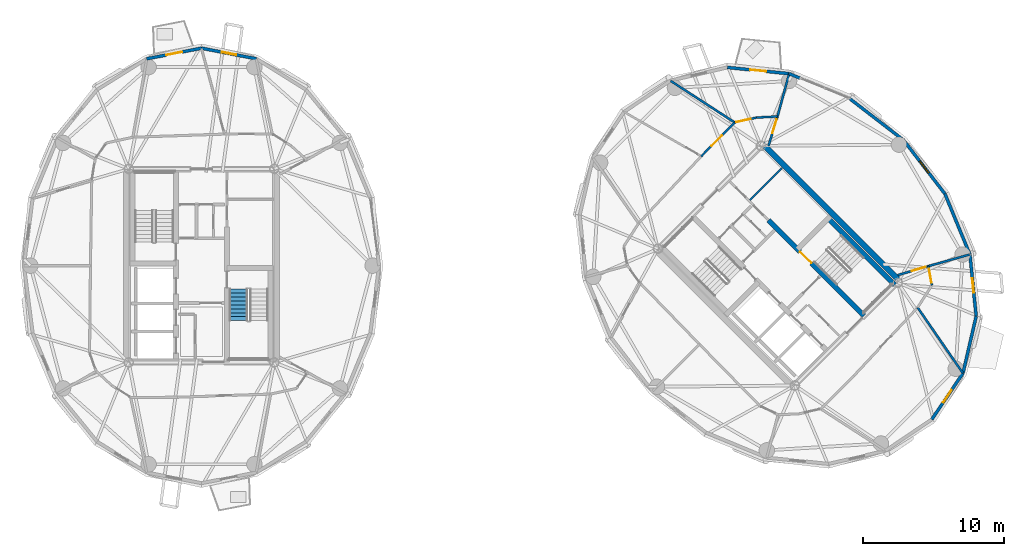
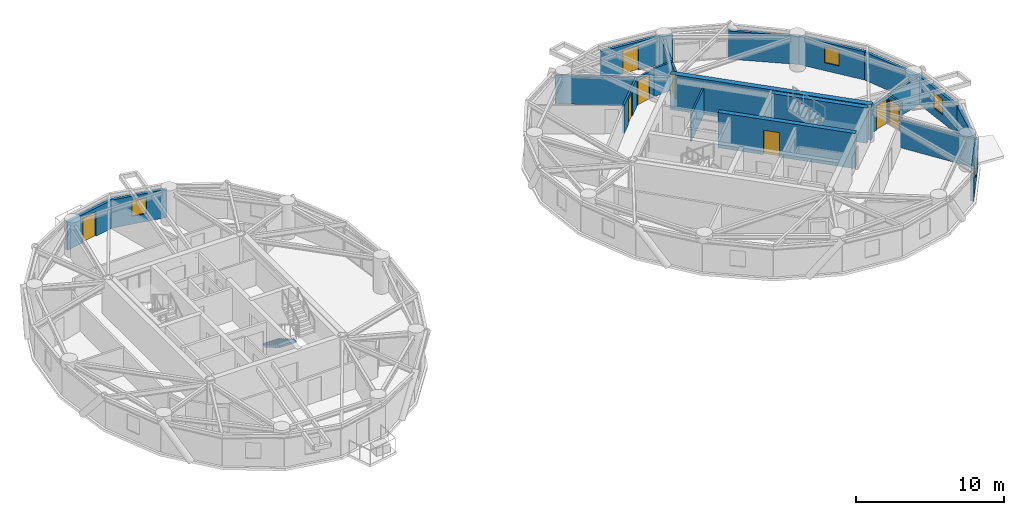
# One storey, part 13 of 17: 24 walls, 8 doors, 4 windows, 1 stair flight, 12 openings, 1 element without a shape of its own.
"""IFC4 building model written with IfcOpenShell, lengths in metres."""

from ifc_helpers import new_model, si_unit, direction, frame, frame_2d, origin, place, context, subcontext, project, spatial, polyline, rectangle, outline, extrude, source, transform, mapped, material, layer, layer_set, type_object, element, fill, aggregate, save


model = new_model("IFC4")

# Units and contexts
model_context = context("Model", 3, precision=1e-05, world=origin(), true_north=direction((0.0, 1.0)))
body_context = subcontext(model_context, "Body", "Model", "MODEL_VIEW")
ifc_project = project(units=[si_unit("LENGTHUNIT", "METRE"), si_unit("AREAUNIT", "SQUARE_METRE"), si_unit("VOLUMEUNIT", "CUBIC_METRE"), si_unit("PLANEANGLEUNIT", "RADIAN"), si_unit("MASSUNIT", "GRAM", prefix="KILO")], contexts=[model_context])

# Site, building, storey
site_placement = place(None, origin())
site = spatial("IfcSite", under=ifc_project, at=site_placement, CompositionType="ELEMENT")
building_placement = place(site_placement, origin())
building = spatial("IfcBuilding", under=site, at=building_placement, Name="Cununo Teusaquillo Station Towers", CompositionType="ELEMENT")
storey_placement = place(building_placement, frame((0.0, 0.0, 205.389892578125)))
storey = spatial("IfcBuildingStorey", under=building, at=storey_placement, Name="L65", CompositionType="ELEMENT", Elevation=205.389892578125)

# Wall, opening, door
ifc_material_1 = material(Name="Concrete C50/60", Category="concrete")
ifc_layer_1 = layer(ifc_material_1, 0.35009765625)
ifc_layer_set_1 = layer_set([ifc_layer_1], Name="Concrete C50/60")
wall_type_1 = type_object("IfcWallType", Name="WL-CORE-350", PredefinedType="SHEAR", material=ifc_layer_set_1)
wall_1_placement = place(storey_placement, frame((63.627197265625, 20.939697265625, 0.0), z_axis=(0.0, 0.0, 1.0), x_axis=(-0.707119496762, 0.707094065383, 0.0)))
wall_1 = element("IfcWall", 1, at=wall_1_placement, inside=storey, type_object=wall_type_1, Name="L65 Tower B Core Shear Wall IE", PredefinedType="SHEAR", context=body_context, shape_type="SweptSolid", body=[
    extrude(rectangle(XDim=9.60009765625, YDim=0.35009765625, at=frame_2d((4.800048828125, 0.0))), origin(), (0.0, 0.0, 1.0), 2.91015625),
])
shared_shape_1 = source(origin(), body_context, "Body", "SweptSolid", [
    extrude(rectangle(XDim=1.14990234375, YDim=2.02001953125, at=frame_2d((0.574951171875, 1.010009765625))), frame((0.0, 0.18505859375, 0.0), z_axis=(0.0, -1.0, 0.0), x_axis=(1.0, 0.0, 0.0)), (0.0, 0.0, 1.0), 0.3701171875),
])
opening_1_placement = place(wall_1_placement, frame((5.280029296875, 0.0, 0.0)))
opening_1 = element("IfcOpeningElement", 2, at=opening_1_placement, cuts=wall_1, Name="Opening D-ST1", PredefinedType="OPENING", context=body_context, shape_type="MappedRepresentation", body=[
    mapped(shared_shape_1, transform((0.0, 0.0, 0.0), x_axis=(1.0, 0.0, 0.0), y_axis=(0.0, 1.0, 0.0), z_axis=(0.0, 0.0, 1.0), scale=1.0)),
])
ifc_material_2 = material(Name="Galvanised fire-rated hollow steel door assembly", Category="steel")
door_type_1 = type_object("IfcDoorType", Name="DR-STAIR-1150", OperationType="NOTDEFINED", PredefinedType="DOOR", material=ifc_material_2)
shared_shape_2 = source(origin(), body_context, "Body", "SweptSolid", [
    extrude(rectangle(XDim=1.14990234375, YDim=2.02001953125, at=frame_2d((0.574951171875, 1.010009765625))), frame((0.0, 0.02490234375, 0.0), z_axis=(0.0, -1.0, 0.0), x_axis=(1.0, 0.0, 0.0)), (0.0, 0.0, 1.0), 0.050048828125),
])
door_1_placement = place(opening_1_placement, origin())
door_1 = element("IfcDoor", 3, at=door_1_placement, inside=storey, type_object=door_type_1, Name="L65 Tower B Exit Stair 2 Fire Door", OperationType="SINGLE_SWING_RIGHT", OverallHeight=2.02001953125, OverallWidth=1.14990234375, PredefinedType="DOOR", context=body_context, shape_type="MappedRepresentation", body=[
    mapped(shared_shape_2, transform((0.0, 0.0, 0.0), x_axis=(1.0, 0.0, 0.0), y_axis=(0.0, 1.0, 0.0), z_axis=(0.0, 0.0, 1.0), scale=1.0)),
])
fill(opening_1, door_1)

# Walls
wall_2_placement = place(storey_placement, frame((65.81201171875, 23.124755859375, 0.0), z_axis=(0.0, 0.0, 1.0), x_axis=(-0.707106781187, 0.707106781187, 0.0)))
element("IfcWall", 4, at=wall_2_placement, inside=storey, type_object=wall_type_1, Name="L65 Tower B Core Shear Wall ST2E", PredefinedType="SHEAR", context=body_context, shape_type="SweptSolid", body=[
    extrude(rectangle(XDim=6.695068359375, YDim=0.35009765625, at=frame_2d((3.34765625, 0.0))), origin(), (0.0, 0.0, 1.0), 2.91015625),
])
ifc_material_3 = material(Name="Concrete C50/60", Category="concrete")
ifc_layer_2 = layer(ifc_material_3, 0.39990234375)
ifc_layer_set_2 = layer_set([ifc_layer_2], Name="Concrete C50/60")
wall_type_2 = type_object("IfcWallType", Name="WL-CORE-400", PredefinedType="SHEAR", material=ifc_layer_set_2)
wall_3_placement = place(storey_placement, frame((66.26806640625, 23.2978515625, 0.0), z_axis=(0.0, 0.0, 1.0), x_axis=(-0.707106781187, 0.707106781187, 0.0)))
element("IfcWall", 5, at=wall_3_placement, inside=storey, type_object=wall_type_2, Name="L65 Tower B Core Shear Wall E", PredefinedType="SHEAR", context=body_context, shape_type="SweptSolid", body=[
    extrude(rectangle(XDim=14.10009765625, YDim=0.39990234375, at=frame_2d((7.050048828125, 0.0))), origin(), (0.0, 0.0, 1.0), 2.91015625),
])

# Wall, opening, window
ifc_material_4 = material(Name="Precast concrete C40/50", Category="concrete")
ifc_layer_3 = layer(ifc_material_4, 0.219970703125)
ifc_layer_set_3 = layer_set([ifc_layer_3], Name="Precast concrete C40/50")
wall_type_3 = type_object("IfcWallType", Name="WL-EXT-220", PredefinedType="SOLIDWALL", material=ifc_layer_set_3)
wall_4_placement = place(storey_placement, frame((16.5, 39.969970703125, 0.0), z_axis=(0.0, 0.0, 1.0), x_axis=(0.981700307484, -0.190432419211, 0.0)))
wall_4 = element("IfcWall", 6, at=wall_4_placement, inside=storey, type_object=wall_type_3, Name="L65 Tower A Exterior Facade Wall C04", PredefinedType="SOLIDWALL", context=body_context, shape_type="SweptSolid", body=[
    extrude(rectangle(XDim=3.9755859375, YDim=0.219970703125, at=frame_2d((1.98779296875, 0.0))), origin(), (0.0, 0.0, 1.0), 2.322021484375),
])
shared_shape_3 = source(origin(), body_context, "Body", "SweptSolid", [
    extrude(rectangle(XDim=1.050048828125, YDim=1.300048828125, at=frame_2d((0.52490234375, 0.64990234375))), frame((0.0, 0.119873046875, 0.0), z_axis=(0.0, -1.0, 0.0), x_axis=(1.0, 0.0, 0.0)), (0.0, 0.0, 1.0), 0.239990234375),
])
opening_2_placement = place(wall_4_placement, frame((1.462890625, 0.0, 0.64990234375)))
opening_2 = element("IfcOpeningElement", 7, at=opening_2_placement, cuts=wall_4, Name="Opening WN-04", PredefinedType="OPENING", context=body_context, shape_type="MappedRepresentation", body=[
    mapped(shared_shape_3, transform((0.0, 0.0, 0.0), x_axis=(1.0, 0.0, 0.0), y_axis=(0.0, 1.0, 0.0), z_axis=(0.0, 0.0, 1.0), scale=1.0)),
])
ifc_material_5 = material(Name="Operable acoustic tinted low-E double glazing", Category="glass")
window_type = type_object("IfcWindowType", Name="WIN-BAL-1050", PartitioningType="SINGLE_PANEL", PredefinedType="WINDOW", material=ifc_material_5)
shared_shape_4 = source(origin(), body_context, "Body", "SweptSolid", [
    extrude(rectangle(XDim=1.050048828125, YDim=1.300048828125, at=frame_2d((0.52490234375, 0.64990234375))), frame((0.0, 0.030029296875, 0.0), z_axis=(0.0, -1.0, 0.0), x_axis=(1.0, 0.0, 0.0)), (0.0, 0.0, 1.0), 0.06005859375),
])
window_1_placement = place(opening_2_placement, origin())
window_1 = element("IfcWindow", 8, at=window_1_placement, inside=storey, type_object=window_type, Name="L65 Tower A Facade Window C04", OverallHeight=1.300048828125, OverallWidth=1.050048828125, PartitioningType="SINGLE_PANEL", PredefinedType="WINDOW", context=body_context, shape_type="MappedRepresentation", body=[
    mapped(shared_shape_4, transform((0.0, 0.0, 0.0), x_axis=(1.0, 0.0, 0.0), y_axis=(0.0, 1.0, 0.0), z_axis=(0.0, 0.0, 1.0), scale=1.0)),
])
fill(opening_2, window_1)

# Wall, opening, door
wall_5_placement = place(storey_placement, frame((12.59716796875, 39.212890625, 0.0), z_axis=(0.0, 0.0, 1.0), x_axis=(0.981700307484, 0.190432419211, 0.0)))
wall_5 = element("IfcWall", 9, at=wall_5_placement, inside=storey, type_object=wall_type_3, Name="L65 Tower A Exterior Facade Wall C05", PredefinedType="SOLIDWALL", context=body_context, shape_type="SweptSolid", body=[
    extrude(rectangle(XDim=3.9755859375, YDim=0.219970703125, at=frame_2d((1.98779296875, 0.0))), origin(), (0.0, 0.0, 1.0), 2.322021484375),
])
shared_shape_5 = source(origin(), body_context, "Body", "SweptSolid", [
    extrude(rectangle(XDim=1.14990234375, YDim=2.0048828125, at=frame_2d((0.574951171875, 1.00244140625))), frame((0.0, 0.119873046875, 0.0), z_axis=(0.0, -1.0, 0.0), x_axis=(1.0, 0.0, 0.0)), (0.0, 0.0, 1.0), 0.239990234375),
])
opening_3_placement = place(wall_5_placement, frame((1.4130859375, 0.0, 0.0)))
opening_3 = element("IfcOpeningElement", 10, at=opening_3_placement, cuts=wall_5, Name="Opening ED-03", PredefinedType="OPENING", context=body_context, shape_type="MappedRepresentation", body=[
    mapped(shared_shape_5, transform((0.0, 0.0, 0.0), x_axis=(1.0, 0.0, 0.0), y_axis=(0.0, 1.0, 0.0), z_axis=(0.0, 0.0, 1.0), scale=1.0)),
])
ifc_material_6 = material(Name="Anodised dark bronze aluminium EN AW-6063-T6", Category="aluminium")
door_type_2 = type_object("IfcDoorType", Name="DR-EXT-BAL", OperationType="NOTDEFINED", PredefinedType="DOOR", material=ifc_material_6)
shared_shape_6 = source(origin(), body_context, "Body", "SweptSolid", [
    extrude(rectangle(XDim=1.14990234375, YDim=2.0048828125, at=frame_2d((0.574951171875, 1.00244140625))), frame((0.0, 0.02490234375, 0.0), z_axis=(0.0, -1.0, 0.0), x_axis=(1.0, 0.0, 0.0)), (0.0, 0.0, 1.0), 0.050048828125),
])
door_2_placement = place(opening_3_placement, origin())
door_2 = element("IfcDoor", 11, at=door_2_placement, inside=storey, type_object=door_type_2, Name="L65 Tower A Tree Balcony Door C05", OperationType="SINGLE_SWING_LEFT", OverallHeight=2.0048828125, OverallWidth=1.14990234375, PredefinedType="DOOR", context=body_context, shape_type="MappedRepresentation", body=[
    mapped(shared_shape_6, transform((0.0, 0.0, 0.0), x_axis=(1.0, 0.0, 0.0), y_axis=(0.0, 1.0, 0.0), z_axis=(0.0, 0.0, 1.0), scale=1.0)),
])
fill(opening_3, door_2)

# Walls
wall_6_placement = place(storey_placement, frame((62.61328125, 36.373779296875, 0.0), z_axis=(0.0, 0.0, 1.0), x_axis=(0.791998462147, -0.610523083886, 0.0)))
element("IfcWall", 12, at=wall_6_placement, inside=storey, type_object=wall_type_3, Name="L65 Tower B Exterior Facade Wall C00", PredefinedType="SOLIDWALL", context=body_context, shape_type="SweptSolid", body=[
    extrude(rectangle(XDim=4.8203125, YDim=0.219970703125, at=frame_2d((2.41015625, 0.0))), origin(), (0.0, 0.0, 1.0), 2.322021484375),
])
wall_7_placement = place(storey_placement, frame((58.29541015625, 38.15478515625, 0.0), z_axis=(0.0, 0.0, 1.0), x_axis=(0.924515260676, -0.381145028536, 0.0)))
element("IfcWall", 13, at=wall_7_placement, inside=storey, type_object=wall_type_3, Name="L65 Tower B Column Pier Cladding Wall C01-PA", PredefinedType="SOLIDWALL", context=body_context, shape_type="SweptSolid", body=[
    extrude(rectangle(XDim=0.869873046875, YDim=0.219970703125, at=frame_2d((0.43505859375, 0.0))), origin(), (0.0, 0.0, 1.0), 2.322021484375),
])

# Wall, opening, door
wall_8_placement = place(storey_placement, frame((53.899658203125, 38.59912109375, 0.0), z_axis=(0.0, 0.0, 1.0), x_axis=(0.994929930991, -0.100570534541, 0.0)))
wall_8 = element("IfcWall", 14, at=wall_8_placement, inside=storey, type_object=wall_type_3, Name="L65 Tower B Exterior Facade Wall C02", PredefinedType="SOLIDWALL", context=body_context, shape_type="SweptSolid", body=[
    extrude(rectangle(XDim=4.418212890625, YDim=0.219970703125, at=frame_2d((2.208984375, 0.0))), origin(), (0.0, 0.0, 1.0), 2.322021484375),
])
opening_4_placement = place(wall_8_placement, frame((1.634033203125, 0.0, 0.0)))
opening_4 = element("IfcOpeningElement", 15, at=opening_4_placement, cuts=wall_8, Name="Opening ED-03", PredefinedType="OPENING", context=body_context, shape_type="MappedRepresentation", body=[
    mapped(shared_shape_5, transform((0.0, 0.0, 0.0), x_axis=(1.0, 0.0, 0.0), y_axis=(0.0, 1.0, 0.0), z_axis=(0.0, 0.0, 1.0), scale=1.0)),
])
door_3_placement = place(opening_4_placement, origin())
door_3 = element("IfcDoor", 16, at=door_3_placement, inside=storey, type_object=door_type_2, Name="L65 Tower B Tree Balcony Door C02", OperationType="SINGLE_SWING_LEFT", OverallHeight=2.0048828125, OverallWidth=1.14990234375, PredefinedType="DOOR", context=body_context, shape_type="MappedRepresentation", body=[
    mapped(shared_shape_6, transform((0.0, 0.0, 0.0), x_axis=(1.0, 0.0, 0.0), y_axis=(0.0, 1.0, 0.0), z_axis=(0.0, 0.0, 1.0), scale=1.0)),
])
fill(opening_4, door_3)

# Wall, opening, window
wall_9_placement = place(storey_placement, frame((70.663330078125, 16.856201171875, 0.0), z_axis=(0.0, 0.0, 1.0), x_axis=(-0.559495003079, -0.828833723692, 0.0)))
wall_9 = element("IfcWall", 17, at=wall_9_placement, inside=storey, type_object=wall_type_3, Name="L65 Tower B Exterior Facade Wall C15", PredefinedType="SOLIDWALL", context=body_context, shape_type="SweptSolid", body=[
    extrude(rectangle(XDim=3.9755859375, YDim=0.219970703125, at=frame_2d((1.98779296875, 0.0))), origin(), (0.0, 0.0, 1.0), 2.322021484375),
])
opening_5_placement = place(wall_9_placement, frame((1.462890625, 0.0, 0.64990234375)))
opening_5 = element("IfcOpeningElement", 18, at=opening_5_placement, cuts=wall_9, Name="Opening WN-04", PredefinedType="OPENING", context=body_context, shape_type="MappedRepresentation", body=[
    mapped(shared_shape_3, transform((0.0, 0.0, 0.0), x_axis=(1.0, 0.0, 0.0), y_axis=(0.0, 1.0, 0.0), z_axis=(0.0, 0.0, 1.0), scale=1.0)),
])
window_2_placement = place(opening_5_placement, origin())
window_2 = element("IfcWindow", 19, at=window_2_placement, inside=storey, type_object=window_type, Name="L65 Tower B Facade Window C15", OverallHeight=1.300048828125, OverallWidth=1.050048828125, PartitioningType="SINGLE_PANEL", PredefinedType="WINDOW", context=body_context, shape_type="MappedRepresentation", body=[
    mapped(shared_shape_4, transform((0.0, 0.0, 0.0), x_axis=(1.0, 0.0, 0.0), y_axis=(0.0, 1.0, 0.0), z_axis=(0.0, 0.0, 1.0), scale=1.0)),
])
fill(opening_5, window_2)

# Wall
wall_10_placement = place(storey_placement, frame((71.59912109375, 20.899658203125, 0.0), z_axis=(0.0, 0.0, 1.0), x_axis=(-0.225473813158, -0.974249228678, 0.0)))
element("IfcWall", 20, at=wall_10_placement, inside=storey, type_object=wall_type_3, Name="L65 Tower B Exterior Facade Wall C16", PredefinedType="SOLIDWALL", context=body_context, shape_type="SweptSolid", body=[
    extrude(rectangle(XDim=4.150390625, YDim=0.219970703125, at=frame_2d((2.0751953125, 0.0))), origin(), (0.0, 0.0, 1.0), 2.322021484375),
])

# Wall, opening, window
wall_11_placement = place(storey_placement, frame((71.15478515625, 25.29541015625, 0.0), z_axis=(0.0, 0.0, 1.0), x_axis=(0.100570534541, -0.994929930991, 0.0)))
wall_11 = element("IfcWall", 21, at=wall_11_placement, inside=storey, type_object=wall_type_3, Name="L65 Tower B Exterior Facade Wall C17", PredefinedType="SOLIDWALL", context=body_context, shape_type="SweptSolid", body=[
    extrude(rectangle(XDim=4.418212890625, YDim=0.219970703125, at=frame_2d((2.208984375, 0.0))), origin(), (0.0, 0.0, 1.0), 2.322021484375),
])
opening_6_placement = place(wall_11_placement, frame((1.68408203125, 0.0, 0.64990234375)))
opening_6 = element("IfcOpeningElement", 22, at=opening_6_placement, cuts=wall_11, Name="Opening WN-04", PredefinedType="OPENING", context=body_context, shape_type="MappedRepresentation", body=[
    mapped(shared_shape_3, transform((0.0, 0.0, 0.0), x_axis=(1.0, 0.0, 0.0), y_axis=(0.0, 1.0, 0.0), z_axis=(0.0, 0.0, 1.0), scale=1.0)),
])
window_3_placement = place(opening_6_placement, origin())
window_3 = element("IfcWindow", 23, at=window_3_placement, inside=storey, type_object=window_type, Name="L65 Tower B Facade Window C17", OverallHeight=1.300048828125, OverallWidth=1.050048828125, PartitioningType="SINGLE_PANEL", PredefinedType="WINDOW", context=body_context, shape_type="MappedRepresentation", body=[
    mapped(shared_shape_4, transform((0.0, 0.0, 0.0), x_axis=(1.0, 0.0, 0.0), y_axis=(0.0, 1.0, 0.0), z_axis=(0.0, 0.0, 1.0), scale=1.0)),
])
fill(opening_6, window_3)

# Wall
wall_12_placement = place(storey_placement, frame((69.373779296875, 29.61328125, 0.0), z_axis=(0.0, 0.0, 1.0), x_axis=(0.381309704956, -0.924447353237, 0.0)))
element("IfcWall", 24, at=wall_12_placement, inside=storey, type_object=wall_type_3, Name="L65 Tower B Exterior Facade Wall C18", PredefinedType="SOLIDWALL", context=body_context, shape_type="SweptSolid", body=[
    extrude(rectangle(XDim=4.670654296875, YDim=0.219970703125, at=frame_2d((2.33544921875, 0.0))), origin(), (0.0, 0.0, 1.0), 2.322021484375),
])

# Wall, opening, window
wall_13_placement = place(storey_placement, frame((66.430908203125, 33.430908203125, 0.0), z_axis=(0.0, 0.0, 1.0), x_axis=(0.610523083886, -0.791998462147, 0.0)))
wall_13 = element("IfcWall", 25, at=wall_13_placement, inside=storey, type_object=wall_type_3, Name="L65 Tower B Exterior Facade Wall C19", PredefinedType="SOLIDWALL", context=body_context, shape_type="SweptSolid", body=[
    extrude(rectangle(XDim=4.8203125, YDim=0.219970703125, at=frame_2d((2.41015625, 0.0))), origin(), (0.0, 0.0, 1.0), 2.322021484375),
])
opening_7_placement = place(wall_13_placement, frame((1.885009765625, 0.0, 0.64990234375)))
opening_7 = element("IfcOpeningElement", 26, at=opening_7_placement, cuts=wall_13, Name="Opening WN-04", PredefinedType="OPENING", context=body_context, shape_type="MappedRepresentation", body=[
    mapped(shared_shape_3, transform((0.0, 0.0, 0.0), x_axis=(1.0, 0.0, 0.0), y_axis=(0.0, 1.0, 0.0), z_axis=(0.0, 0.0, 1.0), scale=1.0)),
])
window_4_placement = place(opening_7_placement, origin())
window_4 = element("IfcWindow", 27, at=window_4_placement, inside=storey, type_object=window_type, Name="L65 Tower B Facade Window C19", OverallHeight=1.300048828125, OverallWidth=1.050048828125, PartitioningType="SINGLE_PANEL", PredefinedType="WINDOW", context=body_context, shape_type="MappedRepresentation", body=[
    mapped(shared_shape_4, transform((0.0, 0.0, 0.0), x_axis=(1.0, 0.0, 0.0), y_axis=(0.0, 1.0, 0.0), z_axis=(0.0, 0.0, 1.0), scale=1.0)),
])
fill(opening_7, window_4)

# Walls
ifc_material_7 = material(Name="Fire-rated gypsum plasterboard partition assembly", Category="gypsum")
ifc_layer_4 = layer(ifc_material_7, 0.125)
ifc_layer_set_4 = layer_set([ifc_layer_4], Name="Fire-rated gypsum plasterboard partition assembly")
wall_type_4 = type_object("IfcWallType", Name="WL-PART-125", PredefinedType="PARTITIONING", material=ifc_layer_set_4)
wall_14_placement = place(storey_placement, frame((55.49169921875, 29.1669921875, 0.0), z_axis=(0.0, 0.0, 1.0), x_axis=(0.707144688645, 0.707068871696, 0.0)))
element("IfcWall", 28, at=wall_14_placement, inside=storey, type_object=wall_type_4, Name="L65 Tower B Reclaimed Bay Divider Wall", PredefinedType="PARTITIONING", context=body_context, shape_type="SweptSolid", body=[
    extrude(rectangle(XDim=3.22021484375, YDim=0.125, at=frame_2d((1.610107421875, 0.0))), origin(), (0.0, 0.0, 1.0), 2.22216796875),
])
ifc_material_8 = material(Name="Fire-rated gypsum plasterboard partition assembly", Category="gypsum")
ifc_layer_5 = layer(ifc_material_8, 0.14990234375)
ifc_layer_set_5 = layer_set([ifc_layer_5], Name="Fire-rated gypsum plasterboard partition assembly")
wall_type_5 = type_object("IfcWallType", Name="WL-PART-150", PredefinedType="PARTITIONING", material=ifc_layer_set_5)
wall_15_placement = place(storey_placement, frame((57.466796875, 35.111328125, 0.0), z_axis=(0.0, 0.0, 1.0), x_axis=(-0.998691757323, -0.051134859488, 0.0)))
element("IfcWall", 29, at=wall_15_placement, inside=storey, type_object=wall_type_5, Name="L65 Tower B Corridor Ring Wall C02", PredefinedType="PARTITIONING", context=body_context, shape_type="SweptSolid", body=[
    extrude(rectangle(XDim=1.48486328125, YDim=0.14990234375, at=frame_2d((0.742431640625, 0.0))), origin(), (0.0, 0.0, 1.0), 2.322021484375),
])

# Wall, opening, door
wall_16_placement = place(storey_placement, frame((55.98388671875, 35.035400390625, 0.0), z_axis=(0.0, 0.0, 1.0), x_axis=(-0.975290305708, -0.22092718165, 0.0)))
wall_16 = element("IfcWall", 30, at=wall_16_placement, inside=storey, type_object=wall_type_5, Name="L65 Tower B Corridor Ring Wall C03", PredefinedType="PARTITIONING", context=body_context, shape_type="SweptSolid", body=[
    extrude(rectangle(XDim=1.596923828125, YDim=0.14990234375, at=frame_2d((0.79833984375, 0.0))), origin(), (0.0, 0.0, 1.0), 2.255126953125),
])
shared_shape_7 = source(origin(), body_context, "Body", "SweptSolid", [
    extrude(rectangle(XDim=1.050048828125, YDim=2.014892578125, at=frame_2d((0.52490234375, 1.00732421875))), frame((0.0, 0.0849609375, 0.0), z_axis=(0.0, -1.0, 0.0), x_axis=(1.0, 0.0, 0.0)), (0.0, 0.0, 1.0), 0.169921875),
])
opening_8_placement = place(wall_16_placement, frame((0.4267578125, 0.0, 0.0)))
opening_8 = element("IfcOpeningElement", 31, at=opening_8_placement, cuts=wall_16, Name="Opening D-SU1", PredefinedType="OPENING", context=body_context, shape_type="MappedRepresentation", body=[
    mapped(shared_shape_7, transform((0.0, 0.0, 0.0), x_axis=(1.0, 0.0, 0.0), y_axis=(0.0, 1.0, 0.0), z_axis=(0.0, 0.0, 1.0), scale=1.0)),
])
ifc_material_9 = material(Name="Acoustic solid-core hardwood leaf assembly", Category="wood")
door_type_3 = type_object("IfcDoorType", Name="DR-SUITE-1050", OperationType="NOTDEFINED", PredefinedType="DOOR", material=ifc_material_9)
shared_shape_8 = source(origin(), body_context, "Body", "SweptSolid", [
    extrude(rectangle(XDim=1.050048828125, YDim=2.014892578125, at=frame_2d((0.52490234375, 1.00732421875))), frame((0.0, 0.02490234375, 0.0), z_axis=(0.0, -1.0, 0.0), x_axis=(1.0, 0.0, 0.0)), (0.0, 0.0, 1.0), 0.050048828125),
])
door_4_placement = place(opening_8_placement, origin())
door_4 = element("IfcDoor", 32, at=door_4_placement, inside=storey, type_object=door_type_3, Name="L65 Tower B Andean Climate Foundation HQ Entrance Door", OperationType="SINGLE_SWING_RIGHT", OverallHeight=2.014892578125, OverallWidth=1.050048828125, PredefinedType="DOOR", context=body_context, shape_type="MappedRepresentation", body=[
    mapped(shared_shape_8, transform((0.0, 0.0, 0.0), x_axis=(1.0, 0.0, 0.0), y_axis=(0.0, 1.0, 0.0), z_axis=(0.0, 0.0, 1.0), scale=1.0)),
])
fill(opening_8, door_4)

wall_17_placement = place(storey_placement, frame((54.426513671875, 34.6826171875, 0.0), z_axis=(0.0, 0.0, 1.0), x_axis=(-0.704178989986, -0.710022499687, 0.0)))
wall_17 = element("IfcWall", 33, at=wall_17_placement, inside=storey, type_object=wall_type_5, Name="L65 Tower B Corridor Ring Wall C04", PredefinedType="PARTITIONING", context=body_context, shape_type="SweptSolid", body=[
    extrude(rectangle(XDim=3.38427734375, YDim=0.14990234375, at=frame_2d((1.692138671875, 0.0))), origin(), (0.0, 0.0, 1.0), 2.322021484375),
])
opening_9_placement = place(wall_17_placement, frame((1.2978515625, 0.0, 0.0)))
opening_9 = element("IfcOpeningElement", 34, at=opening_9_placement, cuts=wall_17, Name="Opening D-SU1", PredefinedType="OPENING", context=body_context, shape_type="MappedRepresentation", body=[
    mapped(shared_shape_7, transform((0.0, 0.0, 0.0), x_axis=(1.0, 0.0, 0.0), y_axis=(0.0, 1.0, 0.0), z_axis=(0.0, 0.0, 1.0), scale=1.0)),
])
door_5_placement = place(opening_9_placement, origin())
door_5 = element("IfcDoor", 35, at=door_5_placement, inside=storey, type_object=door_type_3, Name="L65 Tower B International Arbitration Salon Entrance Door", OperationType="SINGLE_SWING_LEFT", OverallHeight=2.014892578125, OverallWidth=1.050048828125, PredefinedType="DOOR", context=body_context, shape_type="MappedRepresentation", body=[
    mapped(shared_shape_8, transform((0.0, 0.0, 0.0), x_axis=(1.0, 0.0, 0.0), y_axis=(0.0, 1.0, 0.0), z_axis=(0.0, 0.0, 1.0), scale=1.0)),
])
fill(opening_9, door_5)

wall_18_placement = place(storey_placement, frame((68.45556640625, 23.109619140625, 0.0), z_axis=(0.0, 0.0, 1.0), x_axis=(-0.1772522795, 0.984165448191, 0.0)))
wall_18 = element("IfcWall", 36, at=wall_18_placement, inside=storey, type_object=wall_type_5, Name="L65 Tower B Corridor Ring Wall C17", PredefinedType="PARTITIONING", context=body_context, shape_type="SweptSolid", body=[
    extrude(rectangle(XDim=1.381591796875, YDim=0.14990234375, at=frame_2d((0.69091796875, 0.0))), origin(), (0.0, 0.0, 1.0), 2.322021484375),
])
shared_shape_9 = source(origin(), body_context, "Body", "SweptSolid", [
    extrude(rectangle(XDim=1.0, YDim=2.014892578125, at=frame_2d((0.5, 1.00732421875))), frame((0.0, 0.0849609375, 0.0), z_axis=(0.0, -1.0, 0.0), x_axis=(1.0, 0.0, 0.0)), (0.0, 0.0, 1.0), 0.169921875),
])
opening_10_placement = place(wall_18_placement, frame((0.19091796875, 0.0, 0.0)))
opening_10 = element("IfcOpeningElement", 37, at=opening_10_placement, cuts=wall_18, Name="Opening D-AC1", PredefinedType="OPENING", context=body_context, shape_type="MappedRepresentation", body=[
    mapped(shared_shape_9, transform((0.0, 0.0, 0.0), x_axis=(1.0, 0.0, 0.0), y_axis=(0.0, 1.0, 0.0), z_axis=(0.0, 0.0, 1.0), scale=1.0)),
])
ifc_material_10 = material(Name="Acoustic solid-core hardwood leaf assembly", Category="wood")
door_type_4 = type_object("IfcDoorType", Name="DR-ACC-1000", OperationType="NOTDEFINED", PredefinedType="DOOR", material=ifc_material_10)
shared_shape_10 = source(origin(), body_context, "Body", "SweptSolid", [
    extrude(rectangle(XDim=1.0, YDim=2.014892578125, at=frame_2d((0.5, 1.00732421875))), frame((0.0, 0.02490234375, 0.0), z_axis=(0.0, -1.0, 0.0), x_axis=(1.0, 0.0, 0.0)), (0.0, 0.0, 1.0), 0.050048828125),
])
door_6_placement = place(opening_10_placement, origin())
door_6 = element("IfcDoor", 38, at=door_6_placement, inside=storey, type_object=door_type_4, Name="L65 Tower B Public Accessible Restroom WC Entrance Door", OperationType="SINGLE_SWING_LEFT", OverallHeight=2.014892578125, OverallWidth=1.0, PredefinedType="DOOR", context=body_context, shape_type="MappedRepresentation", body=[
    mapped(shared_shape_10, transform((0.0, 0.0, 0.0), x_axis=(1.0, 0.0, 0.0), y_axis=(0.0, 1.0, 0.0), z_axis=(0.0, 0.0, 1.0), scale=1.0)),
])
fill(opening_10, door_6)

# Walls
ifc_material_11 = material(Name="Fire-rated gypsum plasterboard partition assembly", Category="gypsum")
ifc_layer_6 = layer(ifc_material_11, 0.159912109375)
ifc_layer_set_6 = layer_set([ifc_layer_6], Name="Fire-rated gypsum plasterboard partition assembly")
wall_type_6 = type_object("IfcWallType", Name="WL-PART-160", PredefinedType="PARTITIONING", material=ifc_layer_set_6)
wall_19_placement = place(storey_placement, frame((57.466796875, 35.111328125, 0.0), z_axis=(0.0, 0.0, 1.0), x_axis=(0.263354670488, 0.964699081337, 0.0)))
element("IfcWall", 39, at=wall_19_placement, inside=storey, type_object=wall_type_6, Name="L65 Tower B Radial Suite Partition R01", PredefinedType="PARTITIONING", context=body_context, shape_type="SweptSolid", body=[
    extrude(rectangle(XDim=3.13427734375, YDim=0.159912109375, at=frame_2d((1.567138671875, 0.0))), origin(), (0.0, 0.0, 1.0), 2.322021484375),
])
wall_20_placement = place(storey_placement, frame((54.426513671875, 34.6826171875, 0.0), z_axis=(0.0, 0.0, 1.0), x_axis=(-0.83860663594, 0.544737469023, 0.0)))
element("IfcWall", 40, at=wall_20_placement, inside=storey, type_object=wall_type_6, Name="L65 Tower B Radial Suite Partition R02", PredefinedType="PARTITIONING", context=body_context, shape_type="SweptSolid", body=[
    extrude(rectangle(XDim=5.439208984375, YDim=0.159912109375, at=frame_2d((2.7197265625, 0.0))), origin(), (0.0, 0.0, 1.0), 2.322021484375),
])
wall_21_placement = place(storey_placement, frame((67.4345703125, 21.521484375, 0.0), z_axis=(0.0, 0.0, 1.0), x_axis=(0.567700677576, -0.823235045828, 0.0)))
element("IfcWall", 41, at=wall_21_placement, inside=storey, type_object=wall_type_6, Name="L65 Tower B Radial Suite Partition R08", PredefinedType="PARTITIONING", context=body_context, shape_type="SweptSolid", body=[
    extrude(rectangle(XDim=5.656005859375, YDim=0.159912109375, at=frame_2d((2.828125, 0.0))), origin(), (0.0, 0.0, 1.0), 2.322021484375),
])
wall_22_placement = place(storey_placement, frame((68.210693359375, 24.46923828125, 0.0), z_axis=(0.0, 0.0, 1.0), x_axis=(0.962605107736, 0.270908483735, 0.0)))
element("IfcWall", 42, at=wall_22_placement, inside=storey, type_object=wall_type_6, Name="L65 Tower B Radial Suite Partition R09", PredefinedType="PARTITIONING", context=body_context, shape_type="SweptSolid", body=[
    extrude(rectangle(XDim=3.037841796875, YDim=0.159912109375, at=frame_2d((1.51904296875, 0.0))), origin(), (0.0, 0.0, 1.0), 2.322021484375),
])

# Wall, opening, door
wall_23_placement = place(storey_placement, frame((56.828125, 33.0205078125, 0.0), z_axis=(0.0, 0.0, 1.0), x_axis=(0.292139093972, 0.956375841274, 0.0)))
wall_23 = element("IfcWall", 43, at=wall_23_placement, inside=storey, type_object=wall_type_6, Name="L65 Tower B East Salon Corridor Portal Wall NE", PredefinedType="PARTITIONING", context=body_context, shape_type="SweptSolid", body=[
    extrude(rectangle(XDim=2.186279296875, YDim=0.159912109375, at=frame_2d((1.09326171875, 0.0))), origin(), (0.0, 0.0, 1.0), 2.255126953125),
])
shared_shape_11 = source(origin(), body_context, "Body", "SweptSolid", [
    extrude(rectangle(XDim=1.050048828125, YDim=2.014892578125, at=frame_2d((0.52490234375, 1.00732421875))), frame((0.0, 0.08984375, 0.0), z_axis=(0.0, -1.0, 0.0), x_axis=(1.0, 0.0, 0.0)), (0.0, 0.0, 1.0), 0.179931640625),
])
opening_11_placement = place(wall_23_placement, frame((0.93603515625, 0.0, 0.0)))
opening_11 = element("IfcOpeningElement", 44, at=opening_11_placement, cuts=wall_23, Name="Opening D-SU1", PredefinedType="OPENING", context=body_context, shape_type="MappedRepresentation", body=[
    mapped(shared_shape_11, transform((0.0, 0.0, 0.0), x_axis=(1.0, 0.0, 0.0), y_axis=(0.0, 1.0, 0.0), z_axis=(0.0, 0.0, 1.0), scale=1.0)),
])
door_7_placement = place(opening_11_placement, origin())
door_7 = element("IfcDoor", 45, at=door_7_placement, inside=storey, type_object=door_type_3, Name="L65 Tower B East Panorama Sky Salon Door NE", OperationType="SINGLE_SWING_RIGHT", OverallHeight=2.014892578125, OverallWidth=1.050048828125, PredefinedType="DOOR", context=body_context, shape_type="MappedRepresentation", body=[
    mapped(shared_shape_8, transform((0.0, 0.0, 0.0), x_axis=(1.0, 0.0, 0.0), y_axis=(0.0, 1.0, 0.0), z_axis=(0.0, 0.0, 1.0), scale=1.0)),
])
fill(opening_11, door_7)

wall_24_placement = place(storey_placement, frame((66.0205078125, 23.828125, 0.0), z_axis=(0.0, 0.0, 1.0), x_axis=(0.959727558294, 0.280932400856, 0.0)))
wall_24 = element("IfcWall", 46, at=wall_24_placement, inside=storey, type_object=wall_type_6, Name="L65 Tower B East Salon Corridor Portal Wall SE", PredefinedType="PARTITIONING", context=body_context, shape_type="SweptSolid", body=[
    extrude(rectangle(XDim=2.281982421875, YDim=0.159912109375, at=frame_2d((1.14111328125, 0.0))), origin(), (0.0, 0.0, 1.0), 2.255126953125),
])
opening_12_placement = place(wall_24_placement, frame((1.031982421875, 0.0, 0.0)))
opening_12 = element("IfcOpeningElement", 47, at=opening_12_placement, cuts=wall_24, Name="Opening D-SU1", PredefinedType="OPENING", context=body_context, shape_type="MappedRepresentation", body=[
    mapped(shared_shape_11, transform((0.0, 0.0, 0.0), x_axis=(1.0, 0.0, 0.0), y_axis=(0.0, 1.0, 0.0), z_axis=(0.0, 0.0, 1.0), scale=1.0)),
])
door_8_placement = place(opening_12_placement, origin())
door_8 = element("IfcDoor", 48, at=door_8_placement, inside=storey, type_object=door_type_3, Name="L65 Tower B East Panorama Sky Salon Door SE", OperationType="SINGLE_SWING_LEFT", OverallHeight=2.014892578125, OverallWidth=1.050048828125, PredefinedType="DOOR", context=body_context, shape_type="MappedRepresentation", body=[
    mapped(shared_shape_8, transform((0.0, 0.0, 0.0), x_axis=(1.0, 0.0, 0.0), y_axis=(0.0, 1.0, 0.0), z_axis=(0.0, 0.0, 1.0), scale=1.0)),
])
fill(opening_12, door_8)

# Stair, stair flight
ifc_material_12 = material(Name="Concrete C50/60", Category="concrete")
stair_type = type_object("IfcStairType", Name="ST-TWR-1300", PredefinedType="HALF_TURN_STAIR", material=ifc_material_12)
stair_placement = place(storey_placement, origin())
stair = element("IfcStair", 49, at=stair_placement, inside=storey, type_object=stair_type, Name="L65 Tower A Protected Core Exit Stair 2", PredefinedType="HALF_TURN_STAIR")
ifc_material_13 = material(Name="Concrete C50/60", Category="concrete")
stair_flight_type = type_object("IfcStairFlightType", Name="SFL-TWR-1300", PredefinedType="STRAIGHT", material=ifc_material_13)
stair_flight_placement = place(storey_placement, frame((19.1298828125, 22.830078125, 0.0), z_axis=(0.0, 0.0, 1.0), x_axis=(0.0, -1.0, 0.0)))
stair_flight = element("IfcStairFlight", 50, at=stair_flight_placement, type_object=stair_flight_type, Name="ST-T1-2 flight 1", NumberOfRisers=9, NumberOfTreads=8, PredefinedType="STRAIGHT", RiserHeight=0.161666667, TreadLength=0.28, context=body_context, shape_type="SweptSolid", body=[
    extrude(outline(polyline([(0.0, 0.0), (0.0, 0.16162109375), (0.280029296875, 0.16162109375), (0.280029296875, 0.3232421875), (0.56005859375, 0.3232421875), (0.56005859375, 0.485107421875), (0.840087890625, 0.485107421875), (0.840087890625, 0.646728515625), (1.1201171875, 0.646728515625), (1.1201171875, 0.808349609375), (1.39990234375, 0.808349609375), (1.39990234375, 0.969970703125), (1.679931640625, 0.969970703125), (1.679931640625, 1.131591796875), (1.9599609375, 1.131591796875), (1.9599609375, 1.293212890625), (2.239990234375, 1.293212890625), (2.239990234375, 1.455078125), (2.239990234375, 1.1201171875), (0.2998046875, 0.0), (0.0, 0.0)])), frame((0.0, 0.64990234375, 0.0), z_axis=(0.0, -1.0, 0.0), x_axis=(1.0, 0.0, 0.0)), (0.0, 0.0, 1.0), 1.300048828125),
])
aggregate(stair, [stair_flight])

save(model, "model.ifc")
